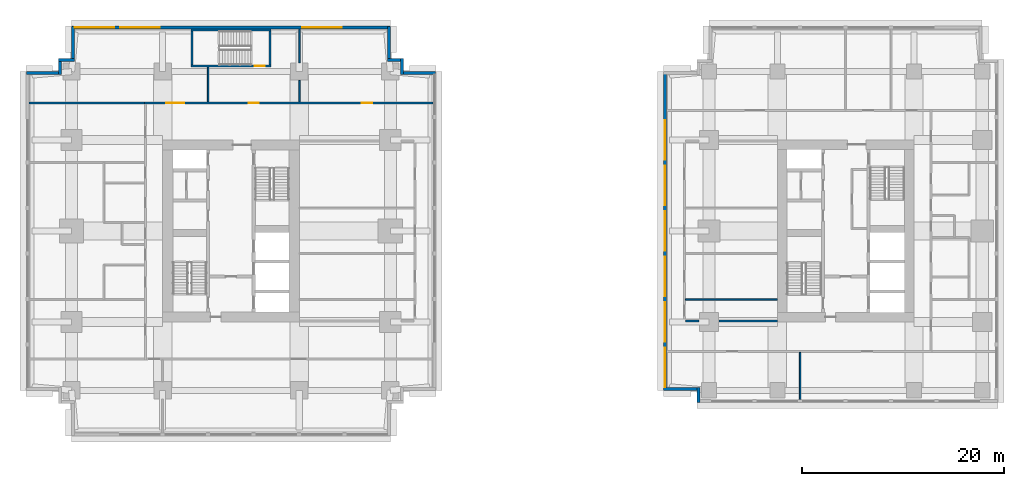
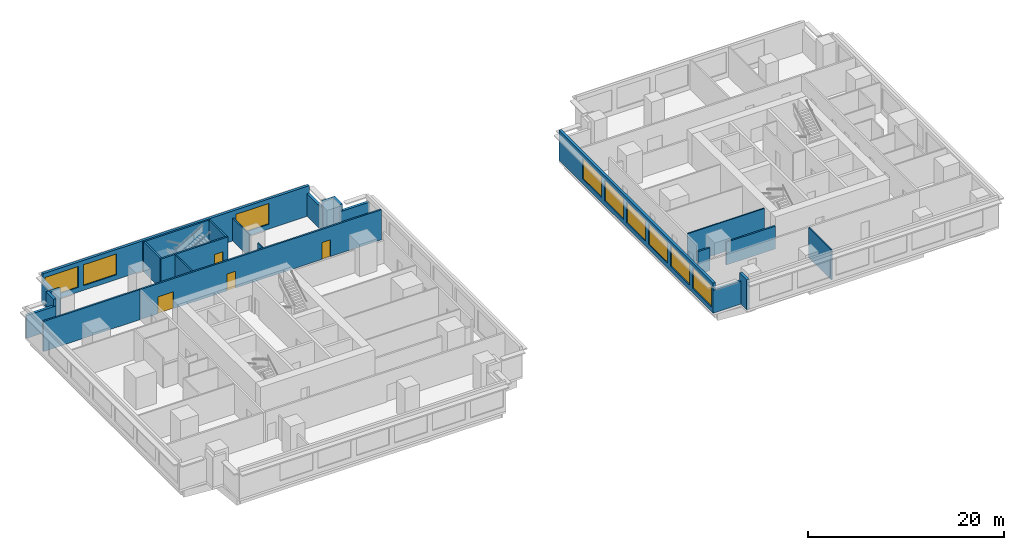
# One storey, part 5 of 10: 25 walls, 9 windows, 4 doors, 13 openings.
"""IFC4 building model written with IfcOpenShell, lengths in metres."""

import ifcopenshell
import ifcopenshell.guid

model = None  # the IFC model being written
_history = None  # IfcOwnerHistory: only IFC2X3 demands one
_inside = {}  # id of a spatial element -> (the spatial element, [elements in it])
_under = {}  # id of a project, library or spatial element -> (it, [spatial elements below it])
_declared = {}  # id of a project -> (the project, [libraries it declares])
_typed = {}  # id of a type object -> (the type object, [elements of that type])
_made_of = {}  # id of a material, layer set ... -> (it, [elements and type objects made of it])


def new_model(schema):
    """Start an empty IFC model of exactly this schema.

    Asked for "IFC4X3", IfcOpenShell would pick the latest addendum, in which some entities
    have other attributes; the version numbers below select the first issue.
    IFC2X3 requires an IfcOwnerHistory on every rooted entity: one is made here for all.
    """
    global model, _history
    if schema == "IFC4X3":
        model = ifcopenshell.file(schema_version=(4, 3, 0, 0))
    else:
        model = ifcopenshell.file(schema=schema)
    _inside.clear()
    _under.clear()
    _declared.clear()
    _typed.clear()
    _made_of.clear()
    _history = None
    if model.schema == "IFC2X3":
        org = make("IfcOrganization", Name="unknown")
        user = make(
            "IfcPersonAndOrganization",
            ThePerson=make("IfcPerson", FamilyName="unknown"),
            TheOrganization=org,
        )
        app = make(
            "IfcApplication",
            ApplicationDeveloper=org,
            Version="unknown",
            ApplicationFullName="unknown",
            ApplicationIdentifier="unknown",
        )
        _history = make(
            "IfcOwnerHistory",
            OwningUser=user,
            OwningApplication=app,
            ChangeAction="ADDED",
            CreationDate=0,
        )
    return model


def make(cls, **values):
    """One entity of the class cls with the attributes given. An attribute that is None is left unset."""
    return model.create_entity(
        cls, **{name: value for name, value in values.items() if value is not None}
    )


def rooted(cls, **values):
    """An entity with a GlobalId (a new one), such as an element, a storey or a relation."""
    return make(cls, GlobalId=ifcopenshell.guid.new(), OwnerHistory=_history, **values)


def si_unit(unit_type, name, prefix=None):
    """IfcSIUnit, for example si_unit("LENGTHUNIT", "METRE", prefix="MILLI")."""
    return make("IfcSIUnit", UnitType=unit_type, Prefix=prefix, Name=name)


def assignment(units):
    """IfcUnitAssignment: the units of a project."""
    return None if units is None else make("IfcUnitAssignment", Units=units)


def point(xyz):
    """IfcCartesianPoint."""
    return None if xyz is None else make("IfcCartesianPoint", Coordinates=xyz)


def direction(xyz):
    """IfcDirection."""
    return None if xyz is None else make("IfcDirection", DirectionRatios=xyz)


def frame(location, z_axis=None, x_axis=None):
    """IfcAxis2Placement3D, a coordinate frame: its origin and axes. An axis left out is left unset."""
    return make(
        "IfcAxis2Placement3D",
        Location=point(location),
        Axis=direction(z_axis),
        RefDirection=direction(x_axis),
    )


def frame_2d(location, x_axis=None):
    """IfcAxis2Placement2D, a coordinate frame in the plane: its origin and x axis."""
    return make(
        "IfcAxis2Placement2D", Location=point(location), RefDirection=direction(x_axis)
    )


def origin():
    """The frame at (0, 0, 0) with its axes left unset."""
    return frame((0.0, 0.0, 0.0))


def place(relative_to, where):
    """IfcLocalPlacement: puts the frame where relative to a parent placement (None: the world)."""
    return make(
        "IfcLocalPlacement", PlacementRelTo=relative_to, RelativePlacement=where
    )


def context(
    kind, dimensions, precision=None, world=None, true_north=None, identifier=None
):
    """IfcGeometricRepresentationContext, for example the 3D "Model" context."""
    return make(
        "IfcGeometricRepresentationContext",
        ContextIdentifier=identifier,
        ContextType=kind,
        CoordinateSpaceDimension=dimensions,
        Precision=precision,
        WorldCoordinateSystem=world,
        TrueNorth=true_north,
    )


def subcontext(parent, identifier, kind, view, scale=None):
    """IfcGeometricRepresentationSubContext, for example "Body" below "Model"."""
    return make(
        "IfcGeometricRepresentationSubContext",
        ContextIdentifier=identifier,
        ContextType=kind,
        ParentContext=parent,
        TargetScale=scale,
        TargetView=view,
    )


def project(units=None, contexts=None):
    """IfcProject with its units and contexts."""
    return rooted(
        "IfcProject",
        Name="project",
        RepresentationContexts=contexts,
        UnitsInContext=assignment(units),
    )


def spatial(cls, under=None, at=None, **own):
    """A site, building, storey or space (cls), placed at a placement, below another one or the project."""
    s = rooted(cls, ObjectPlacement=at, **own)
    if under is not None:
        _under.setdefault(under.id(), (under, []))[1].append(s)
    return s


def profile(cls, at=None, kind="AREA", **sizes):
    """A parametric profile (cls). Its sizes go by their IFC names, for example OverallWidth=200.0."""
    return make(cls, ProfileType=kind, Position=at, **sizes)


def rectangle(**sizes):
    """IfcRectangleProfileDef."""
    return profile("IfcRectangleProfileDef", **sizes)


def extrude(swept, where, along, depth):
    """IfcExtrudedAreaSolid: the profile swept, set in the frame where, extruded along a direction by depth."""
    return make(
        "IfcExtrudedAreaSolid",
        SweptArea=swept,
        Position=where,
        ExtrudedDirection=direction(along),
        Depth=depth,
    )


def shape(context_of_items, identifier, shape_type, items):
    """IfcShapeRepresentation: the items that make up one representation, for example the "Body"."""
    return make(
        "IfcShapeRepresentation",
        ContextOfItems=context_of_items,
        RepresentationIdentifier=identifier,
        RepresentationType=shape_type,
        Items=items,
    )


def material(Name=None, Category=None):
    """IfcMaterial."""
    return make("IfcMaterial", Name=Name, Category=Category)


def layer(
    of_material, thickness, ventilated=None, Name=None, Category=None, Priority=None
):
    """IfcMaterialLayer: one layer of a wall or slab, of a material (None: an air gap)."""
    return make(
        "IfcMaterialLayer",
        Material=of_material,
        LayerThickness=thickness,
        IsVentilated=ventilated,
        Name=Name,
        Category=Category,
        Priority=Priority,
    )


def layer_set(layers, Name=None):
    """IfcMaterialLayerSet."""
    return make("IfcMaterialLayerSet", MaterialLayers=layers, LayerSetName=Name)


def made_of(thing, what):
    """Note that an element or type object is made of a material, layer set ...; save() writes the relation."""
    if what is not None:
        _made_of.setdefault(what.id(), (what, []))[1].append(thing)
    return thing


def type_object(cls, material=None, **own):
    """A type object (cls), such as IfcWallType, which elements share."""
    return made_of(rooted(cls, **own), material)


def element(
    cls,
    number,
    at=None,
    inside=None,
    cuts=None,
    type_object=None,
    material=None,
    context=None,
    identifier="Body",
    shape_type=None,
    held_by="IfcProductDefinitionShape",
    body=None,
    shapes=None,
    **own,
):
    """One element of the class cls, such as IfcWall. Its Tag is "e" and its number.

    at: its placement. inside: the storey or other place that contains it. cuts: it is an
    opening in that element (IfcRelVoidsElement). A single representation is given by context,
    identifier, shape_type and body (its items); several are given by shapes. held_by: the class
    of the entity that holds the representations. save() writes the other relations.
    """
    e = rooted(cls, Tag="e%d" % number, ObjectPlacement=at, **own)
    if body is not None:
        shapes = [shape(context, identifier, shape_type, body)]
    if shapes is not None:
        e.Representation = make(held_by, Representations=shapes)
    if inside is not None:
        _inside.setdefault(inside.id(), (inside, []))[1].append(e)
    if cuts is not None:
        rooted(
            "IfcRelVoidsElement", RelatingBuildingElement=cuts, RelatedOpeningElement=e
        )
    if type_object is not None:
        _typed.setdefault(type_object.id(), (type_object, []))[1].append(e)
    return made_of(e, material)


def fill(opening, filler):
    """IfcRelFillsElement: the door or window that sits in an opening."""
    return rooted(
        "IfcRelFillsElement",
        RelatingOpeningElement=opening,
        RelatedBuildingElement=filler,
    )


def aggregate(whole, parts):
    """IfcRelAggregates: a whole, such as a stair, and the parts it consists of."""
    return rooted("IfcRelAggregates", RelatingObject=whole, RelatedObjects=parts)


def save(model, path):
    """Write the relations noted so far, then the file.

    IfcRelAggregates (storeys below a building ...), IfcRelContainedInSpatialStructure (elements
    in a storey), IfcRelDefinesByType, IfcRelAssociatesMaterial and IfcRelDeclares: one each for
    every whole, place, type object, material and project.
    """
    for whole, parts in _under.values():
        aggregate(whole, parts)
    for where, things in _inside.values():
        rooted(
            "IfcRelContainedInSpatialStructure",
            RelatedElements=things,
            RelatingStructure=where,
        )
    for kind, things in _typed.values():
        rooted("IfcRelDefinesByType", RelatedObjects=things, RelatingType=kind)
    for what, things in _made_of.values():
        rooted("IfcRelAssociatesMaterial", RelatedObjects=things, RelatingMaterial=what)
    for by, libraries in _declared.values():
        rooted("IfcRelDeclares", RelatingContext=by, RelatedDefinitions=libraries)
    model.write(path)


model = new_model("IFC4")

# Units and contexts
model_context = context("Model", 3, precision=1e-05, world=origin(), true_north=direction((0.0, 1.0)))
body_context = subcontext(model_context, "Body", "Model", "MODEL_VIEW")
ifc_project = project(units=[si_unit("LENGTHUNIT", "METRE"), si_unit("AREAUNIT", "SQUARE_METRE"), si_unit("VOLUMEUNIT", "CUBIC_METRE"), si_unit("PLANEANGLEUNIT", "RADIAN"), si_unit("MASSUNIT", "GRAM", prefix="KILO")], contexts=[model_context])

# Site, building, storey
site_placement = place(None, origin())
site = spatial("IfcSite", under=ifc_project, at=site_placement, CompositionType="ELEMENT")
building_placement = place(site_placement, origin())
building = spatial("IfcBuilding", under=site, at=building_placement, Name="Namib Vertical Campus", CompositionType="ELEMENT")
storey_placement = place(building_placement, frame((0.0, 0.0, 153.0)))
storey = spatial("IfcBuildingStorey", under=building, at=storey_placement, Name="L36", CompositionType="ELEMENT", Elevation=153.0)

# Wall, openings, doors
ifc_material_1 = material(Name="Concrete masonry", Category="masonry")
ifc_layer_1 = layer(ifc_material_1, 0.199951171875)
ifc_layer_set_1 = layer_set([ifc_layer_1], Name="Corridor wall 200")
wall_type_1 = type_object("IfcWallType", Name="Corridor wall 200", PredefinedType="SOLIDWALL", material=ifc_layer_set_1)
wall_1_placement = place(storey_placement, frame((40.199951171875, 32.89990234375, 0.0), z_axis=(0.0, 0.0, 1.0), x_axis=(-1.0, 0.0, 0.0)))
wall_1 = element("IfcWall", 1, at=wall_1_placement, inside=storey, type_object=wall_type_1, Name="Corridor wall A L36 CN", PredefinedType="SOLIDWALL", context=body_context, shape_type="SweptSolid", body=[
    extrude(rectangle(XDim=28.5, YDim=0.199951171875, at=frame_2d((14.25, 0.0))), origin(), (0.0, 0.0, 1.0), 3.75),
])
opening_1_placement = place(wall_1_placement, frame((24.550048828125, 0.0, 0.0)))
opening_1 = element("IfcOpeningElement", 2, at=opening_1_placement, cuts=wall_1, Name="Opening CD2", PredefinedType="OPENING", context=body_context, shape_type="SweptSolid", body=[
    extrude(rectangle(XDim=1.800048828125, YDim=2.10009765625, at=frame_2d((0.89990234375, 1.050048828125))), frame((0.0, 0.10986328125, 0.0), z_axis=(0.0, -1.0, 0.0), x_axis=(1.0, 0.0, 0.0)), (0.0, 0.0, 1.0), 0.219970703125),
])
opening_2_placement = place(wall_1_placement, frame((17.199951171875, 0.0, 0.0)))
opening_2 = element("IfcOpeningElement", 3, at=opening_2_placement, cuts=wall_1, Name="Opening CD1", PredefinedType="OPENING", context=body_context, shape_type="SweptSolid", body=[
    extrude(rectangle(XDim=1.0, YDim=2.10009765625, at=frame_2d((0.5, 1.050048828125))), frame((0.0, 0.10986328125, 0.0), z_axis=(0.0, -1.0, 0.0), x_axis=(1.0, 0.0, 0.0)), (0.0, 0.0, 1.0), 0.219970703125),
])
opening_3_placement = place(wall_1_placement, frame((6.0, 0.0, 0.0)))
opening_3 = element("IfcOpeningElement", 4, at=opening_3_placement, cuts=wall_1, Name="Opening CD1", PredefinedType="OPENING", context=body_context, shape_type="SweptSolid", body=[
    extrude(rectangle(XDim=1.0, YDim=2.10009765625, at=frame_2d((0.5, 1.050048828125))), frame((0.0, 0.10986328125, 0.0), z_axis=(0.0, -1.0, 0.0), x_axis=(1.0, 0.0, 0.0)), (0.0, 0.0, 1.0), 0.219970703125),
])
ifc_material_2 = material(Name="Timber fire door leaf", Category="wood")
door_type_1 = type_object("IfcDoorType", Name="Corridor door 1000x2100 20 min", OperationType="SINGLE_SWING_LEFT", PredefinedType="DOOR", material=ifc_material_2)
door_1_placement = place(opening_2_placement, frame((1.0, 0.0, 0.0), z_axis=(0.0, 0.0, 1.0), x_axis=(-1.0, 0.0, 0.0)))
door_1 = element("IfcDoor", 5, at=door_1_placement, inside=storey, type_object=door_type_1, Name="Door CD1 A36-08", OperationType="SINGLE_SWING_RIGHT", OverallHeight=2.10009765625, OverallWidth=1.0, PredefinedType="DOOR", context=body_context, shape_type="SweptSolid", body=[
    extrude(rectangle(XDim=1.0, YDim=2.10009765625, at=frame_2d((0.5, 1.050048828125))), frame((0.0, 0.02490234375, 0.0), z_axis=(0.0, -1.0, 0.0), x_axis=(1.0, 0.0, 0.0)), (0.0, 0.0, 1.0), 0.050048828125),
])
fill(opening_2, door_1)
door_2_placement = place(opening_3_placement, frame((1.0, 0.0, 0.0), z_axis=(0.0, 0.0, 1.0), x_axis=(-1.0, 0.0, 0.0)))
door_2 = element("IfcDoor", 6, at=door_2_placement, inside=storey, type_object=door_type_1, Name="Door CD1 A36-09", OperationType="SINGLE_SWING_LEFT", OverallHeight=2.10009765625, OverallWidth=1.0, PredefinedType="DOOR", context=body_context, shape_type="SweptSolid", body=[
    extrude(rectangle(XDim=1.0, YDim=2.10009765625, at=frame_2d((0.5, 1.050048828125))), frame((0.0, 0.02490234375, 0.0), z_axis=(0.0, -1.0, 0.0), x_axis=(1.0, 0.0, 0.0)), (0.0, 0.0, 1.0), 0.050048828125),
])
fill(opening_3, door_2)
ifc_material_3 = material(Name="Timber fire door leaf", Category="wood")
door_type_2 = type_object("IfcDoorType", Name="Corridor door double 1800x2100 20 min", OperationType="DOUBLE_DOOR_SINGLE_SWING", PredefinedType="DOOR", material=ifc_material_3)
door_3_placement = place(opening_1_placement, frame((1.800048828125, 0.0, 0.0), z_axis=(0.0, 0.0, 1.0), x_axis=(-1.0, 0.0, 0.0)))
door_3 = element("IfcDoor", 7, at=door_3_placement, inside=storey, type_object=door_type_2, Name="Door CD2 A36-07", OperationType="DOUBLE_DOOR_SINGLE_SWING", OverallHeight=2.10009765625, OverallWidth=1.800048828125, PredefinedType="DOOR", context=body_context, shape_type="SweptSolid", body=[
    extrude(rectangle(XDim=1.800048828125, YDim=2.10009765625, at=frame_2d((0.89990234375, 1.050048828125))), frame((0.0, 0.02490234375, 0.0), z_axis=(0.0, -1.0, 0.0), x_axis=(1.0, 0.0, 0.0)), (0.0, 0.0, 1.0), 0.050048828125),
])
fill(opening_1, door_3)

# Walls
wall_2_placement = place(storey_placement, frame((0.300048828125, 32.89990234375, 0.0), z_axis=(0.0, 0.0, 1.0), x_axis=(1.0, 0.0, 0.0)))
element("IfcWall", 8, at=wall_2_placement, inside=storey, type_object=wall_type_1, Name="Partition A L36 BNW", PredefinedType="SOLIDWALL", context=body_context, shape_type="SweptSolid", body=[
    extrude(rectangle(XDim=11.39990234375, YDim=0.199951171875, at=frame_2d((5.699951171875, 0.0))), origin(), (0.0, 0.0, 1.0), 3.75),
])
wall_3_placement = place(storey_placement, frame((65.14990234375, 11.35009765625, 0.0), z_axis=(0.0, 0.0, 1.0), x_axis=(1.0, 0.0, 0.0)))
element("IfcWall", 9, at=wall_3_placement, inside=storey, type_object=wall_type_1, Name="Corridor wall B L36 GS", PredefinedType="SOLIDWALL", context=body_context, shape_type="SweptSolid", body=[
    extrude(rectangle(XDim=1.380126953125, YDim=0.199951171875, at=frame_2d((0.68994140625, 0.0))), origin(), (0.0, 0.0, 1.0), 2.85009765625),
])
wall_4_placement = place(storey_placement, frame((68.469970703125, 11.35009765625, 0.0), z_axis=(0.0, 0.0, 1.0), x_axis=(1.0, 0.0, 0.0)))
element("IfcWall", 10, at=wall_4_placement, inside=storey, type_object=wall_type_1, Name="Corridor wall B L36 GS", PredefinedType="SOLIDWALL", context=body_context, shape_type="SweptSolid", body=[
    extrude(rectangle(XDim=5.780029296875, YDim=0.199951171875, at=frame_2d((2.89013671875, 0.0))), origin(), (0.0, 0.0, 1.0), 2.85009765625),
])
ifc_material_4 = material(Name="Concrete C40/50", Category="concrete")
ifc_layer_2 = layer(ifc_material_4, 0.300048828125)
ifc_layer_set_2 = layer_set([ifc_layer_2], Name="Concrete C40/50")
wall_type_2 = type_object("IfcWallType", Name="External wall 300 board-marked concrete", PredefinedType="STANDARD", material=ifc_layer_set_2)
wall_5_placement = place(storey_placement, frame((40.47998046875, 35.85009765625, 0.0), z_axis=(0.0, 0.0, 1.0), x_axis=(-1.0, 0.0, 0.0)))
element("IfcWall", 11, at=wall_5_placement, inside=storey, type_object=wall_type_2, Name="External wall L36 F07", PredefinedType="STANDARD", context=body_context, shape_type="SweptSolid", body=[
    extrude(rectangle(XDim=3.4599609375, YDim=0.300048828125, at=frame_2d((1.72998046875, 0.0))), origin(), (0.0, 0.0, 1.0), 2.85009765625),
])
for number, where, z_axis, x_axis, name in (
    (12, (37.14990234375, 35.719970703125, 0.0), (0.0, 0.0, 1.0), (0.0, 1.0, 0.0), "External wall L36 F08"),
    (13, (37.280029296875, 37.14990234375, 0.0), (0.0, 0.0, 1.0), (-1.0, 0.0, 0.0), "External wall L36 F09"),
):
    element("IfcWall", number, at=place(storey_placement, frame(where, z_axis=z_axis, x_axis=x_axis)), inside=storey, type_object=wall_type_2, Name=name, PredefinedType="STANDARD", context=body_context, shape_type="SweptSolid", body=[
        extrude(rectangle(XDim=1.56005859375, YDim=0.300048828125, at=frame_2d((0.780029296875, 0.0))), origin(), (0.0, 0.0, 1.0), 3.75),
    ])
wall_6_placement = place(storey_placement, frame((35.85009765625, 37.02001953125, 0.0), z_axis=(0.0, 0.0, 1.0), x_axis=(0.0, 1.0, 0.0)))
element("IfcWall", 14, at=wall_6_placement, inside=storey, type_object=wall_type_2, Name="External wall L36 F10", PredefinedType="STANDARD", context=body_context, shape_type="SweptSolid", body=[
    extrude(rectangle(XDim=3.4599609375, YDim=0.300048828125, at=frame_2d((1.72998046875, 0.0))), origin(), (0.0, 0.0, 1.0), 2.85009765625),
])

# Wall, openings, windows
wall_7_placement = place(storey_placement, frame((35.97998046875, 40.35009765625, 0.0), z_axis=(0.0, 0.0, 1.0), x_axis=(-1.0, 0.0, 0.0)))
wall_7 = element("IfcWall", 15, at=wall_7_placement, inside=storey, type_object=wall_type_2, Name="External wall L36 F11", PredefinedType="STANDARD", context=body_context, shape_type="SweptSolid", body=[
    extrude(rectangle(XDim=31.4599609375, YDim=0.300048828125, at=frame_2d((15.72998046875, 0.0))), origin(), (0.0, 0.0, 1.0), 3.75),
])
opening_4_placement = place(wall_7_placement, frame((27.280029296875, 0.0, 0.60009765625)))
opening_4 = element("IfcOpeningElement", 16, at=opening_4_placement, cuts=wall_7, Name="Opening W2", PredefinedType="OPENING", context=body_context, shape_type="SweptSolid", body=[
    extrude(rectangle(XDim=3.89990234375, YDim=2.60009765625, at=frame_2d((1.949951171875, 1.300048828125))), frame((0.0, 0.159912109375, 0.0), z_axis=(0.0, -1.0, 0.0), x_axis=(1.0, 0.0, 0.0)), (0.0, 0.0, 1.0), 0.320068359375),
])
opening_5_placement = place(wall_7_placement, frame((22.780029296875, 0.0, 0.60009765625)))
opening_5 = element("IfcOpeningElement", 17, at=opening_5_placement, cuts=wall_7, Name="Opening W2", PredefinedType="OPENING", context=body_context, shape_type="SweptSolid", body=[
    extrude(rectangle(XDim=3.89990234375, YDim=2.60009765625, at=frame_2d((1.949951171875, 1.300048828125))), frame((0.0, 0.159912109375, 0.0), z_axis=(0.0, -1.0, 0.0), x_axis=(1.0, 0.0, 0.0)), (0.0, 0.0, 1.0), 0.320068359375),
])
opening_6_placement = place(wall_7_placement, frame((4.780029296875, 0.0, 0.60009765625)))
opening_6 = element("IfcOpeningElement", 18, at=opening_6_placement, cuts=wall_7, Name="Opening W2", PredefinedType="OPENING", context=body_context, shape_type="SweptSolid", body=[
    extrude(rectangle(XDim=3.89990234375, YDim=2.60009765625, at=frame_2d((1.949951171875, 1.300048828125))), frame((0.0, 0.159912109375, 0.0), z_axis=(0.0, -1.0, 0.0), x_axis=(1.0, 0.0, 0.0)), (0.0, 0.0, 1.0), 0.320068359375),
])
ifc_material_5 = material(Name="Dark tinted glass in black aluminium frame", Category="aluminium")
window_type = type_object("IfcWindowType", Name="Ribbon window 3900x2600", PartitioningType="SINGLE_PANEL", PredefinedType="WINDOW", material=ifc_material_5)
window_1_placement = place(opening_4_placement, origin())
window_1 = element("IfcWindow", 19, at=window_1_placement, inside=storey, type_object=window_type, Name="Window W2 L36 F11-1", OverallHeight=2.60009765625, OverallWidth=3.89990234375, PartitioningType="SINGLE_PANEL", PredefinedType="WINDOW", context=body_context, shape_type="SweptSolid", body=[
    extrude(rectangle(XDim=3.89990234375, YDim=2.60009765625, at=frame_2d((1.949951171875, 1.300048828125))), frame((0.0, 0.030029296875, 0.0), z_axis=(0.0, -1.0, 0.0), x_axis=(1.0, 0.0, 0.0)), (0.0, 0.0, 1.0), 0.06005859375),
])
fill(opening_4, window_1)
window_2_placement = place(opening_5_placement, origin())
window_2 = element("IfcWindow", 20, at=window_2_placement, inside=storey, type_object=window_type, Name="Window W2 L36 F11-2", OverallHeight=2.60009765625, OverallWidth=3.89990234375, PartitioningType="SINGLE_PANEL", PredefinedType="WINDOW", context=body_context, shape_type="SweptSolid", body=[
    extrude(rectangle(XDim=3.89990234375, YDim=2.60009765625, at=frame_2d((1.949951171875, 1.300048828125))), frame((0.0, 0.030029296875, 0.0), z_axis=(0.0, -1.0, 0.0), x_axis=(1.0, 0.0, 0.0)), (0.0, 0.0, 1.0), 0.06005859375),
])
fill(opening_5, window_2)
window_3_placement = place(opening_6_placement, origin())
window_3 = element("IfcWindow", 21, at=window_3_placement, inside=storey, type_object=window_type, Name="Window W2 L36 F11-6", OverallHeight=2.60009765625, OverallWidth=3.89990234375, PartitioningType="SINGLE_PANEL", PredefinedType="WINDOW", context=body_context, shape_type="SweptSolid", body=[
    extrude(rectangle(XDim=3.89990234375, YDim=2.60009765625, at=frame_2d((1.949951171875, 1.300048828125))), frame((0.0, 0.030029296875, 0.0), z_axis=(0.0, -1.0, 0.0), x_axis=(1.0, 0.0, 0.0)), (0.0, 0.0, 1.0), 0.06005859375),
])
fill(opening_6, window_3)

# Walls
wall_8_placement = place(storey_placement, frame((4.64990234375, 40.47998046875, 0.0), z_axis=(0.0, 0.0, 1.0), x_axis=(0.0, -1.0, 0.0)))
element("IfcWall", 22, at=wall_8_placement, inside=storey, type_object=wall_type_2, Name="External wall L36 F12", PredefinedType="STANDARD", context=body_context, shape_type="SweptSolid", body=[
    extrude(rectangle(XDim=3.4599609375, YDim=0.300048828125, at=frame_2d((1.72998046875, 0.0))), origin(), (0.0, 0.0, 1.0), 2.85009765625),
])
for number, where, z_axis, x_axis, name in (
    (23, (4.780029296875, 37.14990234375, 0.0), (0.0, 0.0, 1.0), (-1.0, 0.0, 0.0), "External wall L36 F13"),
    (24, (3.35009765625, 37.280029296875, 0.0), (0.0, 0.0, 1.0), (0.0, -1.0, 0.0), "External wall L36 F14"),
):
    element("IfcWall", number, at=place(storey_placement, frame(where, z_axis=z_axis, x_axis=x_axis)), inside=storey, type_object=wall_type_2, Name=name, PredefinedType="STANDARD", context=body_context, shape_type="SweptSolid", body=[
        extrude(rectangle(XDim=1.56005859375, YDim=0.300048828125, at=frame_2d((0.780029296875, 0.0))), origin(), (0.0, 0.0, 1.0), 3.75),
    ])
wall_9_placement = place(storey_placement, frame((3.47998046875, 35.85009765625, 0.0), z_axis=(0.0, 0.0, 1.0), x_axis=(-1.0, 0.0, 0.0)))
element("IfcWall", 25, at=wall_9_placement, inside=storey, type_object=wall_type_2, Name="External wall L36 F15", PredefinedType="STANDARD", context=body_context, shape_type="SweptSolid", body=[
    extrude(rectangle(XDim=3.4599609375, YDim=0.300048828125, at=frame_2d((1.72998046875, 0.0))), origin(), (0.0, 0.0, 1.0), 2.85009765625),
])
wall_10_placement = place(storey_placement, frame((63.02001953125, 4.64990234375, 0.0), z_axis=(0.0, 0.0, 1.0), x_axis=(1.0, 0.0, 0.0)))
element("IfcWall", 26, at=wall_10_placement, inside=storey, type_object=wall_type_2, Name="External wall L36 F01", PredefinedType="STANDARD", context=body_context, shape_type="SweptSolid", body=[
    extrude(rectangle(XDim=3.56005859375, YDim=0.300048828125, at=frame_2d((1.780029296875, 0.0))), origin(), (0.0, 0.0, 1.0), 2.85009765625),
])
wall_11_placement = place(storey_placement, frame((66.449951171875, 4.780029296875, 0.0), z_axis=(0.0, 0.0, 1.0), x_axis=(0.0, -1.0, 0.0)))
element("IfcWall", 27, at=wall_11_placement, inside=storey, type_object=wall_type_2, Name="External wall L36 F02", PredefinedType="STANDARD", context=body_context, shape_type="SweptSolid", body=[
    extrude(rectangle(XDim=1.4599609375, YDim=0.300048828125, at=frame_2d((0.72998046875, 0.0))), origin(), (0.0, 0.0, 1.0), 3.75),
])

# Wall, openings, windows
wall_12_placement = place(storey_placement, frame((63.14990234375, 35.97998046875, 0.0), z_axis=(0.0, 0.0, 1.0), x_axis=(0.0, -1.0, 0.0)))
wall_12 = element("IfcWall", 28, at=wall_12_placement, inside=storey, type_object=wall_type_2, Name="External wall L36 F12", PredefinedType="STANDARD", context=body_context, shape_type="SweptSolid", body=[
    extrude(rectangle(XDim=31.4599609375, YDim=0.300048828125, at=frame_2d((15.72998046875, 0.0))), origin(), (0.0, 0.0, 1.0), 3.75),
])
opening_7_placement = place(wall_12_placement, frame((27.280029296875, 0.0, 0.60009765625)))
opening_7 = element("IfcOpeningElement", 29, at=opening_7_placement, cuts=wall_12, Name="Opening W2", PredefinedType="OPENING", context=body_context, shape_type="SweptSolid", body=[
    extrude(rectangle(XDim=3.89990234375, YDim=2.60009765625, at=frame_2d((1.949951171875, 1.300048828125))), frame((0.0, 0.159912109375, 0.0), z_axis=(0.0, -1.0, 0.0), x_axis=(1.0, 0.0, 0.0)), (0.0, 0.0, 1.0), 0.320068359375),
])
opening_8_placement = place(wall_12_placement, frame((22.780029296875, 0.0, 0.60009765625)))
opening_8 = element("IfcOpeningElement", 30, at=opening_8_placement, cuts=wall_12, Name="Opening W2", PredefinedType="OPENING", context=body_context, shape_type="SweptSolid", body=[
    extrude(rectangle(XDim=3.89990234375, YDim=2.60009765625, at=frame_2d((1.949951171875, 1.300048828125))), frame((0.0, 0.159912109375, 0.0), z_axis=(0.0, -1.0, 0.0), x_axis=(1.0, 0.0, 0.0)), (0.0, 0.0, 1.0), 0.320068359375),
])
opening_9_placement = place(wall_12_placement, frame((18.280029296875, 0.0, 0.60009765625)))
opening_9 = element("IfcOpeningElement", 31, at=opening_9_placement, cuts=wall_12, Name="Opening W2", PredefinedType="OPENING", context=body_context, shape_type="SweptSolid", body=[
    extrude(rectangle(XDim=3.89990234375, YDim=2.60009765625, at=frame_2d((1.949951171875, 1.300048828125))), frame((0.0, 0.159912109375, 0.0), z_axis=(0.0, -1.0, 0.0), x_axis=(1.0, 0.0, 0.0)), (0.0, 0.0, 1.0), 0.320068359375),
])
opening_10_placement = place(wall_12_placement, frame((13.780029296875, 0.0, 0.60009765625)))
opening_10 = element("IfcOpeningElement", 32, at=opening_10_placement, cuts=wall_12, Name="Opening W2", PredefinedType="OPENING", context=body_context, shape_type="SweptSolid", body=[
    extrude(rectangle(XDim=3.89990234375, YDim=2.60009765625, at=frame_2d((1.949951171875, 1.300048828125))), frame((0.0, 0.159912109375, 0.0), z_axis=(0.0, -1.0, 0.0), x_axis=(1.0, 0.0, 0.0)), (0.0, 0.0, 1.0), 0.320068359375),
])
opening_11_placement = place(wall_12_placement, frame((9.280029296875, 0.0, 0.60009765625)))
opening_11 = element("IfcOpeningElement", 33, at=opening_11_placement, cuts=wall_12, Name="Opening W2", PredefinedType="OPENING", context=body_context, shape_type="SweptSolid", body=[
    extrude(rectangle(XDim=3.89990234375, YDim=2.60009765625, at=frame_2d((1.949951171875, 1.300048828125))), frame((0.0, 0.159912109375, 0.0), z_axis=(0.0, -1.0, 0.0), x_axis=(1.0, 0.0, 0.0)), (0.0, 0.0, 1.0), 0.320068359375),
])
opening_12_placement = place(wall_12_placement, frame((4.780029296875, 0.0, 0.60009765625)))
opening_12 = element("IfcOpeningElement", 34, at=opening_12_placement, cuts=wall_12, Name="Opening W2", PredefinedType="OPENING", context=body_context, shape_type="SweptSolid", body=[
    extrude(rectangle(XDim=3.89990234375, YDim=2.60009765625, at=frame_2d((1.949951171875, 1.300048828125))), frame((0.0, 0.159912109375, 0.0), z_axis=(0.0, -1.0, 0.0), x_axis=(1.0, 0.0, 0.0)), (0.0, 0.0, 1.0), 0.320068359375),
])
window_4_placement = place(opening_7_placement, origin())
window_4 = element("IfcWindow", 35, at=window_4_placement, inside=storey, type_object=window_type, Name="Window W2 L36 F12-1", OverallHeight=2.60009765625, OverallWidth=3.89990234375, PartitioningType="SINGLE_PANEL", PredefinedType="WINDOW", context=body_context, shape_type="SweptSolid", body=[
    extrude(rectangle(XDim=3.89990234375, YDim=2.60009765625, at=frame_2d((1.949951171875, 1.300048828125))), frame((0.0, 0.030029296875, 0.0), z_axis=(0.0, -1.0, 0.0), x_axis=(1.0, 0.0, 0.0)), (0.0, 0.0, 1.0), 0.06005859375),
])
fill(opening_7, window_4)
window_5_placement = place(opening_8_placement, origin())
window_5 = element("IfcWindow", 36, at=window_5_placement, inside=storey, type_object=window_type, Name="Window W2 L36 F12-2", OverallHeight=2.60009765625, OverallWidth=3.89990234375, PartitioningType="SINGLE_PANEL", PredefinedType="WINDOW", context=body_context, shape_type="SweptSolid", body=[
    extrude(rectangle(XDim=3.89990234375, YDim=2.60009765625, at=frame_2d((1.949951171875, 1.300048828125))), frame((0.0, 0.030029296875, 0.0), z_axis=(0.0, -1.0, 0.0), x_axis=(1.0, 0.0, 0.0)), (0.0, 0.0, 1.0), 0.06005859375),
])
fill(opening_8, window_5)
window_6_placement = place(opening_9_placement, origin())
window_6 = element("IfcWindow", 37, at=window_6_placement, inside=storey, type_object=window_type, Name="Window W2 L36 F12-3", OverallHeight=2.60009765625, OverallWidth=3.89990234375, PartitioningType="SINGLE_PANEL", PredefinedType="WINDOW", context=body_context, shape_type="SweptSolid", body=[
    extrude(rectangle(XDim=3.89990234375, YDim=2.60009765625, at=frame_2d((1.949951171875, 1.300048828125))), frame((0.0, 0.030029296875, 0.0), z_axis=(0.0, -1.0, 0.0), x_axis=(1.0, 0.0, 0.0)), (0.0, 0.0, 1.0), 0.06005859375),
])
fill(opening_9, window_6)
window_7_placement = place(opening_10_placement, origin())
window_7 = element("IfcWindow", 38, at=window_7_placement, inside=storey, type_object=window_type, Name="Window W2 L36 F12-4", OverallHeight=2.60009765625, OverallWidth=3.89990234375, PartitioningType="SINGLE_PANEL", PredefinedType="WINDOW", context=body_context, shape_type="SweptSolid", body=[
    extrude(rectangle(XDim=3.89990234375, YDim=2.60009765625, at=frame_2d((1.949951171875, 1.300048828125))), frame((0.0, 0.030029296875, 0.0), z_axis=(0.0, -1.0, 0.0), x_axis=(1.0, 0.0, 0.0)), (0.0, 0.0, 1.0), 0.06005859375),
])
fill(opening_10, window_7)
window_8_placement = place(opening_11_placement, origin())
window_8 = element("IfcWindow", 39, at=window_8_placement, inside=storey, type_object=window_type, Name="Window W2 L36 F12-5", OverallHeight=2.60009765625, OverallWidth=3.89990234375, PartitioningType="SINGLE_PANEL", PredefinedType="WINDOW", context=body_context, shape_type="SweptSolid", body=[
    extrude(rectangle(XDim=3.89990234375, YDim=2.60009765625, at=frame_2d((1.949951171875, 1.300048828125))), frame((0.0, 0.030029296875, 0.0), z_axis=(0.0, -1.0, 0.0), x_axis=(1.0, 0.0, 0.0)), (0.0, 0.0, 1.0), 0.06005859375),
])
fill(opening_11, window_8)
window_9_placement = place(opening_12_placement, origin())
window_9 = element("IfcWindow", 40, at=window_9_placement, inside=storey, type_object=window_type, Name="Window W2 L36 F12-6", OverallHeight=2.60009765625, OverallWidth=3.89990234375, PartitioningType="SINGLE_PANEL", PredefinedType="WINDOW", context=body_context, shape_type="SweptSolid", body=[
    extrude(rectangle(XDim=3.89990234375, YDim=2.60009765625, at=frame_2d((1.949951171875, 1.300048828125))), frame((0.0, 0.030029296875, 0.0), z_axis=(0.0, -1.0, 0.0), x_axis=(1.0, 0.0, 0.0)), (0.0, 0.0, 1.0), 0.06005859375),
])
fill(opening_12, window_9)

# Walls
ifc_material_6 = material(Name="Gypsum board on steel studs", Category="steel")
ifc_layer_3 = layer(ifc_material_6, 0.14990234375)
ifc_layer_set_3 = layer_set([ifc_layer_3], Name="Gypsum board on steel studs")
wall_type_3 = type_object("IfcWallType", Name="Partition 150", PredefinedType="PARTITIONING", material=ifc_layer_set_3)
wall_13_placement = place(storey_placement, frame((18.0, 33.0, 0.0), z_axis=(0.0, 0.0, 1.0), x_axis=(0.0, 1.0, 0.0)))
element("IfcWall", 41, at=wall_13_placement, inside=storey, type_object=wall_type_3, Name="Partition A L36 PN1", PredefinedType="PARTITIONING", context=body_context, shape_type="SweptSolid", body=[
    extrude(rectangle(XDim=3.449951171875, YDim=0.14990234375, at=frame_2d((1.72509765625, 0.0))), origin(), (0.0, 0.0, 1.0), 3.75),
])
wall_14_placement = place(storey_placement, frame((27.0, 33.0, 0.0), z_axis=(0.0, 0.0, 1.0), x_axis=(0.0, 1.0, 0.0)))
element("IfcWall", 42, at=wall_14_placement, inside=storey, type_object=wall_type_3, Name="Partition A L36 PN2", PredefinedType="PARTITIONING", context=body_context, shape_type="SweptSolid", body=[
    extrude(rectangle(XDim=2.1298828125, YDim=0.14990234375, at=frame_2d((1.06494140625, 0.0))), origin(), (0.0, 0.0, 1.0), 2.85009765625),
])
wall_15_placement = place(storey_placement, frame((27.0, 36.8701171875, 0.0), z_axis=(0.0, 0.0, 1.0), x_axis=(0.0, 1.0, 0.0)))
element("IfcWall", 43, at=wall_15_placement, inside=storey, type_object=wall_type_3, Name="Partition A L36 PN2", PredefinedType="PARTITIONING", context=body_context, shape_type="SweptSolid", body=[
    extrude(rectangle(XDim=3.329833984375, YDim=0.14990234375, at=frame_2d((1.6650390625, 0.0))), origin(), (0.0, 0.0, 1.0), 2.85009765625),
])
wall_16_placement = place(storey_placement, frame((76.5, 3.60009765625, 0.0), z_axis=(0.0, 0.0, 1.0), x_axis=(0.0, 1.0, 0.0)))
element("IfcWall", 44, at=wall_16_placement, inside=storey, type_object=wall_type_3, Name="Partition B L36 PS1", PredefinedType="PARTITIONING", context=body_context, shape_type="SweptSolid", body=[
    extrude(rectangle(XDim=4.64990234375, YDim=0.14990234375, at=frame_2d((2.324951171875, 0.0))), origin(), (0.0, 0.0, 1.0), 3.75),
])
wall_17_placement = place(storey_placement, frame((65.14990234375, 13.5, 0.0), z_axis=(0.0, 0.0, 1.0), x_axis=(1.0, 0.0, 0.0)))
element("IfcWall", 45, at=wall_17_placement, inside=storey, type_object=wall_type_3, Name="Partition B L36 PW1", PredefinedType="PARTITIONING", context=body_context, shape_type="SweptSolid", body=[
    extrude(rectangle(XDim=9.10009765625, YDim=0.14990234375, at=frame_2d((4.550048828125, 0.0))), origin(), (0.0, 0.0, 1.0), 3.75),
])

# Wall, opening, door
ifc_material_7 = material(Name="Concrete C40/50", Category="concrete")
ifc_layer_4 = layer(ifc_material_7, 0.199951171875)
ifc_layer_set_4 = layer_set([ifc_layer_4], Name="Concrete C40/50")
wall_type_4 = type_object("IfcWallType", Name="Stair enclosure wall RC 200", PredefinedType="SOLIDWALL", material=ifc_layer_set_4)
wall_18_placement = place(storey_placement, frame((16.300048828125, 36.550048828125, 0.0), z_axis=(0.0, 0.0, 1.0), x_axis=(1.0, 0.0, 0.0)))
wall_18 = element("IfcWall", 46, at=wall_18_placement, inside=storey, type_object=wall_type_4, Name="Stair enclosure wall A-S3 L36 S", PredefinedType="SOLIDWALL", context=body_context, shape_type="SweptSolid", body=[
    extrude(rectangle(XDim=7.89990234375, YDim=0.199951171875, at=frame_2d((3.949951171875, 0.0))), origin(), (0.0, 0.0, 1.0), 3.75),
])
opening_13_placement = place(wall_18_placement, frame((6.300048828125, 0.0, 0.0)))
opening_13 = element("IfcOpeningElement", 47, at=opening_13_placement, cuts=wall_18, Name="Opening FD1", PredefinedType="OPENING", context=body_context, shape_type="SweptSolid", body=[
    extrude(rectangle(XDim=1.0, YDim=2.10009765625, at=frame_2d((0.5, 1.050048828125))), frame((0.0, 0.10986328125, 0.0), z_axis=(0.0, -1.0, 0.0), x_axis=(1.0, 0.0, 0.0)), (0.0, 0.0, 1.0), 0.219970703125),
])
ifc_material_8 = material(Name="Steel fire door", Category="steel")
door_type_3 = type_object("IfcDoorType", Name="Fire door 1000x2100", OperationType="SINGLE_SWING_RIGHT", PredefinedType="DOOR", material=ifc_material_8)
door_4_placement = place(opening_13_placement, origin())
door_4 = element("IfcDoor", 48, at=door_4_placement, inside=storey, type_object=door_type_3, Name="Stair door FD1 A L36 S3", OperationType="SINGLE_SWING_RIGHT", OverallHeight=2.10009765625, OverallWidth=1.0, PredefinedType="DOOR", context=body_context, shape_type="SweptSolid", body=[
    extrude(rectangle(XDim=1.0, YDim=2.10009765625, at=frame_2d((0.5, 1.050048828125))), frame((0.0, 0.02490234375, 0.0), z_axis=(0.0, -1.0, 0.0), x_axis=(1.0, 0.0, 0.0)), (0.0, 0.0, 1.0), 0.050048828125),
])
fill(opening_13, door_4)

# Walls
wall_19_placement = place(storey_placement, frame((16.300048828125, 40.10009765625, 0.0), z_axis=(0.0, 0.0, 1.0), x_axis=(1.0, 0.0, 0.0)))
element("IfcWall", 49, at=wall_19_placement, inside=storey, type_object=wall_type_4, Name="Stair enclosure wall A-S3 L36 N", PredefinedType="SOLIDWALL", context=body_context, shape_type="SweptSolid", body=[
    extrude(rectangle(XDim=7.89990234375, YDim=0.199951171875, at=frame_2d((3.949951171875, 0.0))), origin(), (0.0, 0.0, 1.0), 3.75),
])
for number, where, z_axis, x_axis, name in (
    (50, (16.39990234375, 36.64990234375, 0.0), (0.0, 0.0, 1.0), (0.0, 1.0, 0.0), "Stair enclosure wall A-S3 L36 W"),
    (51, (24.10009765625, 36.64990234375, 0.0), (0.0, 0.0, 1.0), (0.0, 1.0, 0.0), "Stair enclosure wall A-S3 L36 E"),
):
    element("IfcWall", number, at=place(storey_placement, frame(where, z_axis=z_axis, x_axis=x_axis)), inside=storey, type_object=wall_type_4, Name=name, PredefinedType="SOLIDWALL", context=body_context, shape_type="SweptSolid", body=[
        extrude(rectangle(XDim=3.35009765625, YDim=0.199951171875, at=frame_2d((1.675048828125, 0.0))), origin(), (0.0, 0.0, 1.0), 3.75),
    ])

save(model, "model.ifc")
